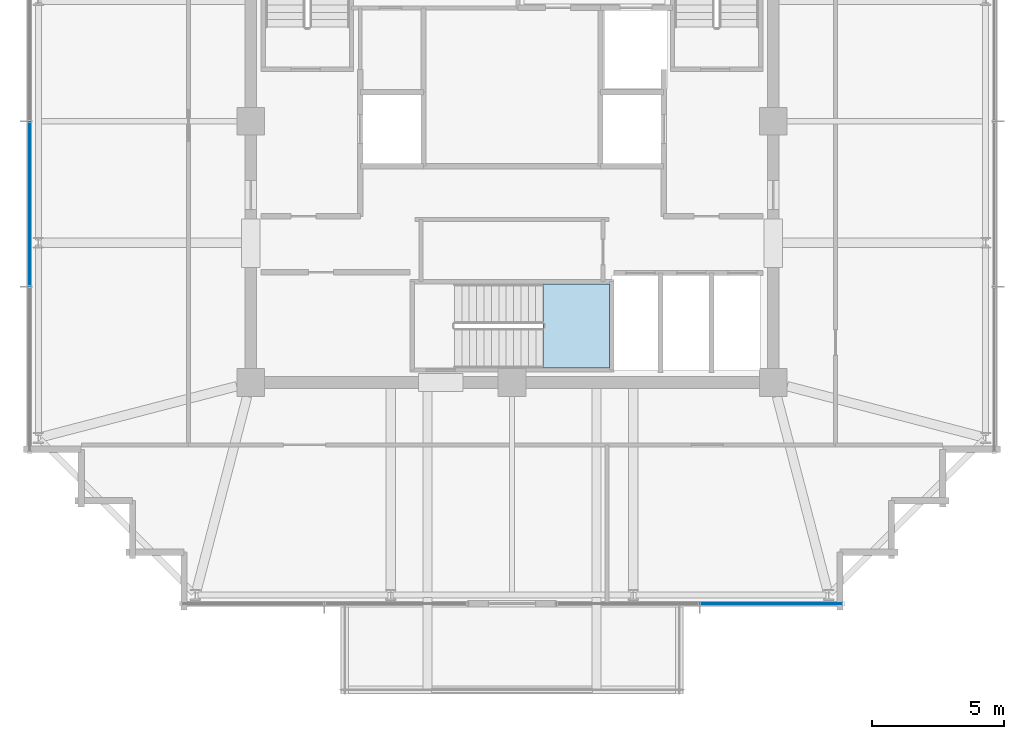
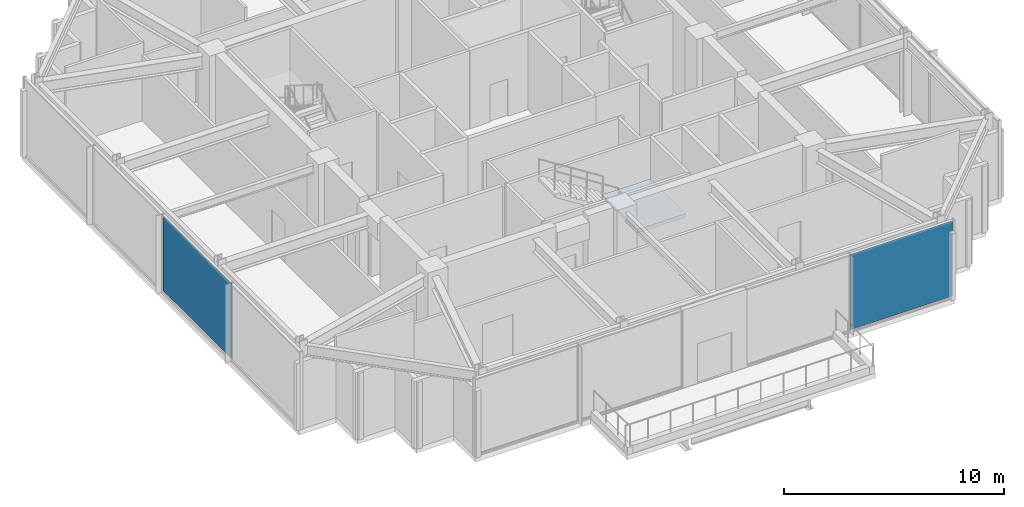
# One storey, part 22 of 30: 2 plates, 1 slab, 3 elements without a shape of their own.
"""IFC4 building model written with IfcOpenShell, lengths in metres."""

from ifc_helpers import new_model, si_unit, direction, frame, origin, origin_2d, place, context, subcontext, project, spatial, polyline, rectangle, outline, extrude, material, layer, layer_set, type_object, element, aggregate, save


model = new_model("IFC4")

# Units and contexts
model_context = context("Model", 3, precision=1e-05, world=origin(), true_north=direction((0.0, 1.0)))
body_context = subcontext(model_context, "Body", "Model", "MODEL_VIEW")
ifc_project = project(units=[si_unit("LENGTHUNIT", "METRE"), si_unit("AREAUNIT", "SQUARE_METRE"), si_unit("VOLUMEUNIT", "CUBIC_METRE"), si_unit("PLANEANGLEUNIT", "RADIAN"), si_unit("MASSUNIT", "GRAM", prefix="KILO")], contexts=[model_context])

# Site, building, storey
site_placement = place(None, origin())
site = spatial("IfcSite", under=ifc_project, at=site_placement, CompositionType="ELEMENT")
building_placement = place(site_placement, origin())
building = spatial("IfcBuilding", under=site, at=building_placement, Name="Kolvaren Belvedere", CompositionType="ELEMENT")
storey_placement = place(building_placement, frame((0.0, 0.0, 262.800048828125)))
storey = spatial("IfcBuildingStorey", under=building, at=storey_placement, Name="L76", CompositionType="ELEMENT", Elevation=262.800048828125)

# Curtain wall, plate
ifc_material_1 = material(Name="Anodised pale-metal aluminium AA 6063-T6", Category="aluminium")
curtain_wall_type = type_object("IfcCurtainWallType", Name="CW-CRN-OBS", PredefinedType="NOTDEFINED", material=ifc_material_1)
curtain_wall_1_placement = place(storey_placement, origin())
curtain_wall_1 = element("IfcCurtainWall", 1, at=curtain_wall_1_placement, inside=storey, type_object=curtain_wall_type, Name="L76 Unitised Curtain Wall FCW-L76-S1", PredefinedType="NOTDEFINED")
ifc_material_2 = material(Name="Low-iron laminated vision glass", Category="glass")
ifc_layer_1 = layer(ifc_material_2, 0.031982421875)
ifc_layer_set_1 = layer_set([ifc_layer_1], Name="Low-iron laminated vision glass")
plate_type = type_object("IfcPlateType", Name="CW-PNL-VIS32", PredefinedType="CURTAIN_PANEL", material=ifc_layer_set_1)
plate_1_placement = place(storey_placement, frame((9.83251953125, -18.280029296875, 0.080078125), z_axis=(0.0, 0.0, 1.0), x_axis=(-1.0, 0.0, 0.0)))
plate_1 = element("IfcPlate", 2, at=plate_1_placement, type_object=plate_type, Name="FCW-L76-S1 Vision Glazing Panel 1", PredefinedType="CURTAIN_PANEL", context=body_context, shape_type="SweptSolid", body=[
    extrude(rectangle(XDim=5.35498046875, YDim=0.031982421875, at=origin_2d()), origin(), (0.0, 0.0, 1.0), 4.159912109375),
])
aggregate(curtain_wall_1, [plate_1])

curtain_wall_2_placement = place(storey_placement, origin())
curtain_wall_2 = element("IfcCurtainWall", 3, at=curtain_wall_2_placement, inside=storey, type_object=curtain_wall_type, Name="L76 Unitised Curtain Wall FCW-L76-W", PredefinedType="NOTDEFINED")
plate_2_placement = place(storey_placement, frame((-18.280029296875, -3.137451171875, 0.080078125), z_axis=(0.0, 0.0, 1.0), x_axis=(0.0, 1.0, 0.0)))
plate_2 = element("IfcPlate", 4, at=plate_2_placement, type_object=plate_type, Name="FCW-L76-W Vision Glazing Panel 2", PredefinedType="CURTAIN_PANEL", context=body_context, shape_type="SweptSolid", body=[
    extrude(rectangle(XDim=6.195068359375, YDim=0.031982421875, at=origin_2d()), origin(), (0.0, 0.0, 1.0), 4.159912109375),
])
aggregate(curtain_wall_2, [plate_2])

# Stair, slab
ifc_material_3 = material(Name="Concrete C50/60", Category="concrete")
stair_type = type_object("IfcStairType", Name="ST-CORE-1520", PredefinedType="HALF_TURN_STAIR", material=ifc_material_3)
stair_placement = place(storey_placement, origin())
stair = element("IfcStair", 5, at=stair_placement, inside=storey, type_object=stair_type, Name="L76 Protected Exit Stair ST-3", PredefinedType="HALF_TURN_STAIR")
ifc_material_4 = material(Name="Concrete C50/60", Category="concrete")
ifc_layer_2 = layer(ifc_material_4, 0.260009765625)
ifc_layer_set_2 = layer_set([ifc_layer_2], Name="Concrete C50/60")
slab_type = type_object("IfcSlabType", Name="SL-LAND-260", PredefinedType="LANDING", material=ifc_layer_set_2)
slab_placement = place(storey_placement, frame((0.0, 0.0, 2.099853515625)))
slab = element("IfcSlab", 6, at=slab_placement, type_object=slab_type, Name="ST-3 landing 1", PredefinedType="LANDING", context=body_context, shape_type="SweptSolid", body=[
    extrude(outline(polyline([(1.179931640625, -9.35009765625), (3.699951171875, -9.35009765625), (3.699951171875, -6.159912109375), (1.179931640625, -6.159912109375), (1.179931640625, -9.35009765625)])), origin(), (0.0, 0.0, 1.0), 0.2001953125),
])
aggregate(stair, [slab])

save(model, "model.ifc")
